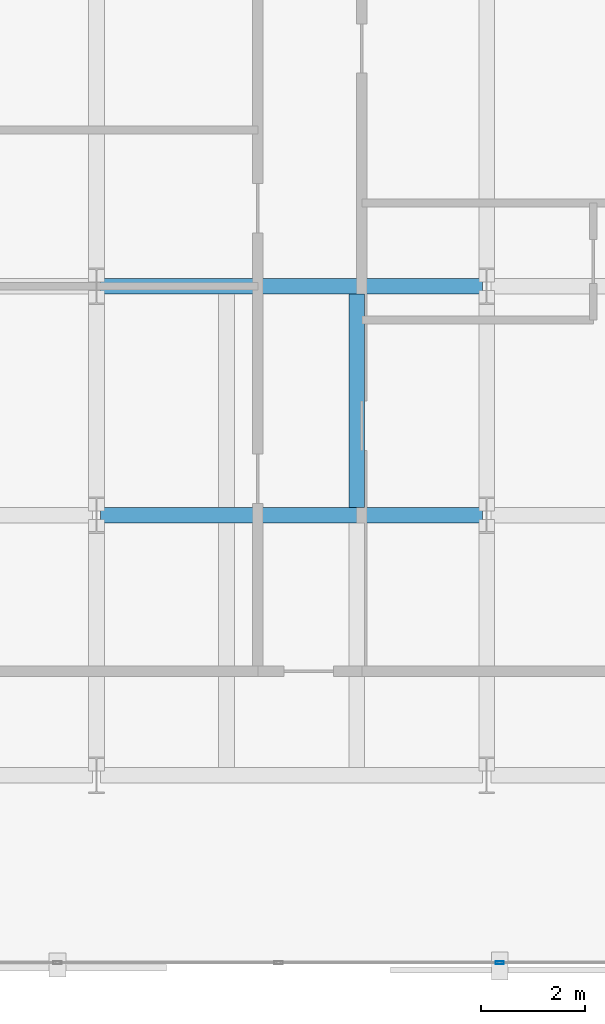
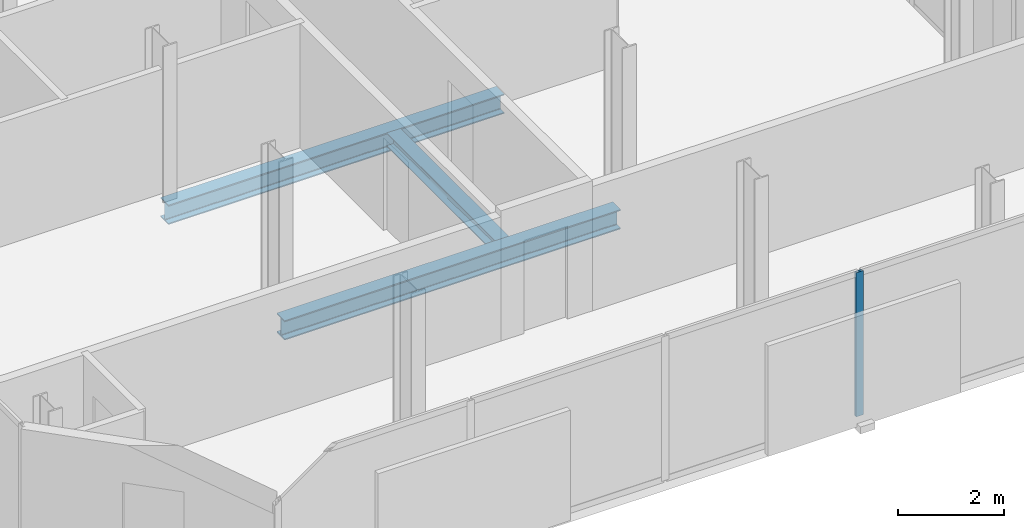
# One storey, part 6 of 33: 3 beams, 1 member, 1 element without a shape of its own.
"""IFC4 building model written with IfcOpenShell, lengths in metres."""

from ifc_helpers import new_model, si_unit, direction, frame, origin, origin_2d, place, context, subcontext, project, spatial, hollow_rectangle, i_section, extrude, material, layer, layer_set, material_profile, profile_set, type_object, element, aggregate, save


model = new_model("IFC4")

# Units and contexts
model_context = context("Model", 3, precision=1e-05, world=origin(), true_north=direction((0.0, 1.0)))
body_context = subcontext(model_context, "Body", "Model", "MODEL_VIEW")
ifc_project = project(units=[si_unit("LENGTHUNIT", "METRE"), si_unit("AREAUNIT", "SQUARE_METRE"), si_unit("VOLUMEUNIT", "CUBIC_METRE"), si_unit("PLANEANGLEUNIT", "RADIAN"), si_unit("MASSUNIT", "GRAM", prefix="KILO")], contexts=[model_context])

# Site, building, storey
site_placement = place(None, origin())
site = spatial("IfcSite", under=ifc_project, at=site_placement, CompositionType="ELEMENT")
building_placement = place(site_placement, origin())
building = spatial("IfcBuilding", under=site, at=building_placement, Name="Catumbela Crestline Tower", CompositionType="ELEMENT")
storey_placement = place(building_placement, frame((0.0, 0.0, 118.8)))
storey = spatial("IfcBuildingStorey", under=building, at=storey_placement, Name="L30", CompositionType="ELEMENT", Elevation=118.8)

# Beams
ifc_material_1 = material(Name="Structural steel S355J2", Category="steel")
ifc_material_profile_1 = material_profile(ifc_material_1, i_section(OverallWidth=0.3, OverallDepth=0.45, WebThickness=0.014, FlangeThickness=0.026, FilletRadius=0.027, at=origin_2d()), Name="HEB 450")
ifc_profile_set_1 = profile_set([ifc_material_profile_1], Name="Structural steel S355J2")
beam_type_1 = type_object("IfcBeamType", Name="BG-HEB450", PredefinedType="BEAM", material=ifc_profile_set_1)
for number, where, z_axis, x_axis, name in (
    (1, (8.58, 13.6, -0.485), (1.0, 0.0, 0.0), (0.0, 1.0, 0.0), "L30 Beam BM-L30-WEW47"),
    (2, (8.58, 18.0, -0.485), (1.0, 0.0, 0.0), (0.0, 1.0, 0.0), "L30 Beam BM-L30-WEW50"),
):
    element("IfcBeam", number, at=place(storey_placement, frame(where, z_axis=z_axis, x_axis=x_axis)), inside=storey, type_object=beam_type_1, Name=name, PredefinedType="BEAM", context=body_context, shape_type="SweptSolid", body=[
        extrude(i_section(OverallWidth=0.3, OverallDepth=0.45, WebThickness=0.014, FlangeThickness=0.026, FilletRadius=0.027, at=origin_2d()), origin(), (0.0, 0.0, 1.0), 7.34),
    ])
ifc_material_profile_2 = material_profile(ifc_material_1, i_section(OverallWidth=0.3, OverallDepth=0.31, WebThickness=0.009, FlangeThickness=0.0155, FilletRadius=0.027, at=origin_2d()), Name="HEA 320")
ifc_profile_set_2 = profile_set([ifc_material_profile_2], Name="Structural steel S355J2")
beam_type_2 = type_object("IfcBeamType", Name="BJ-HEA320", PredefinedType="JOIST", material=ifc_profile_set_2)
beam_placement = place(storey_placement, frame((13.5, 13.747, -0.415), z_axis=(0.0, 1.0, 0.0), x_axis=(-1.0, 0.0, 0.0)))
element("IfcBeam", 3, at=beam_placement, inside=storey, type_object=beam_type_2, Name="L30 Joist JS-L30-WG72", PredefinedType="JOIST", context=body_context, shape_type="SweptSolid", body=[
    extrude(i_section(OverallWidth=0.3, OverallDepth=0.31, WebThickness=0.009, FlangeThickness=0.0155, FilletRadius=0.027, at=origin_2d()), origin(), (0.0, 0.0, 1.0), 4.106),
])

# Curtain wall, member
ifc_material_2 = material(Name="Aluminium alloy AW-6060-T66", Category="aluminium")
ifc_layer = layer(ifc_material_2, 0.18, Name="Aluminium alloy AW-6060-T66")
ifc_layer_set = layer_set([ifc_layer], Name="Aluminium alloy AW-6060-T66")
curtain_wall_type = type_object("IfcCurtainWallType", Name="CWU-Z2", PredefinedType="USERDEFINED", material=ifc_layer_set)
curtain_wall_placement = place(storey_placement, origin())
curtain_wall = element("IfcCurtainWall", 4, at=curtain_wall_placement, inside=storey, type_object=curtain_wall_type, Name="L30 Unitised Curtain Wall CW-L30-E0S1", ObjectType="UNITISED", PredefinedType="USERDEFINED")
ifc_material_profile_3 = material_profile(ifc_material_2, hollow_rectangle(XDim=0.06, YDim=0.16, WallThickness=0.004, at=origin_2d()), Name="ALU 160x60x4")
ifc_profile_set_3 = profile_set([ifc_material_profile_3], Name="Aluminium alloy AW-6060-T66")
member_type = type_object("IfcMemberType", Name="MUL-160X60", PredefinedType="MULLION", material=ifc_profile_set_3)
member_placement = place(storey_placement, frame((16.25, 5.0, 0.0), z_axis=(0.0, 0.0, 1.0), x_axis=(0.0, 1.0, 0.0)))
member = element("IfcMember", 5, at=member_placement, type_object=member_type, Name="CWU-Z2 mullion 4", PredefinedType="MULLION", context=body_context, shape_type="SweptSolid", body=[
    extrude(hollow_rectangle(XDim=0.06, YDim=0.16, WallThickness=0.004, at=origin_2d()), origin(), (0.0, 0.0, 1.0), 3.33),
])
aggregate(curtain_wall, [member])

save(model, "model.ifc")
